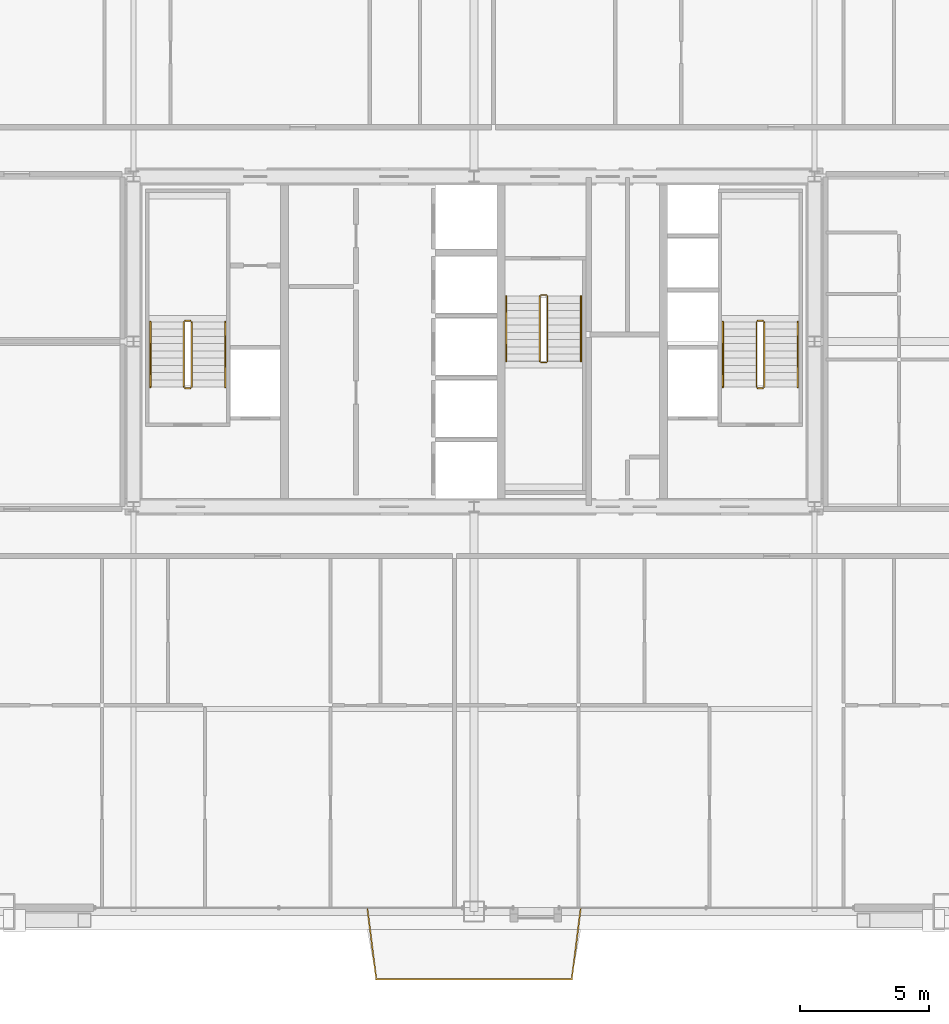
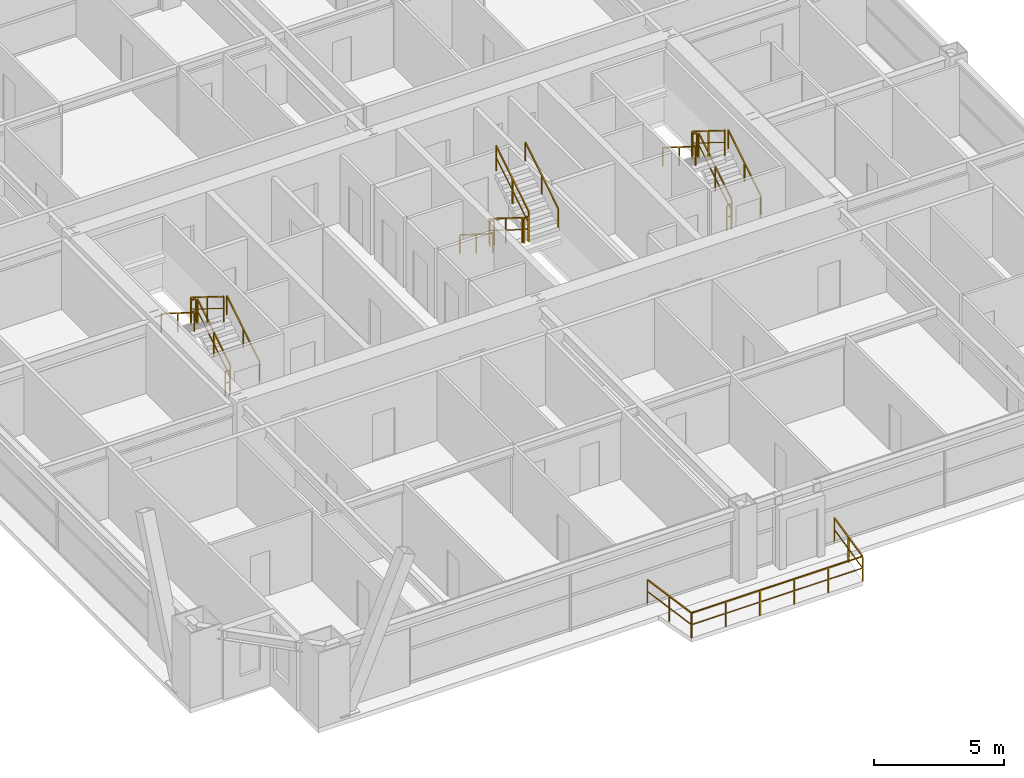
# One storey, part 45 of 45: 19 railings.
"""IFC4 building model written with IfcOpenShell, lengths in metres."""

from ifc_helpers import new_model, si_unit, direction, frame, origin, origin_2d, place, context, subcontext, project, spatial, rectangle, extrude, source, transform, mapped, material, layer, layer_set, type_object, element, save


model = new_model("IFC4")

# Units and contexts
model_context = context("Model", 3, precision=1e-05, world=origin(), true_north=direction((0.0, 1.0)))
body_context = subcontext(model_context, "Body", "Model", "MODEL_VIEW")
ifc_project = project(units=[si_unit("LENGTHUNIT", "METRE"), si_unit("AREAUNIT", "SQUARE_METRE"), si_unit("VOLUMEUNIT", "CUBIC_METRE"), si_unit("PLANEANGLEUNIT", "RADIAN"), si_unit("MASSUNIT", "GRAM", prefix="KILO"), si_unit("THERMODYNAMICTEMPERATUREUNIT", "KELVIN"), si_unit("POWERUNIT", "WATT")], contexts=[model_context])

# Site, building, storey
site_placement = place(None, origin())
site = spatial("IfcSite", under=ifc_project, at=site_placement, CompositionType="ELEMENT")
building_placement = place(site_placement, origin())
building = spatial("IfcBuilding", under=site, at=building_placement, Name="Yuzanri Waterfront Tower", CompositionType="ELEMENT")
storey_placement = place(building_placement, frame((0.0, 0.0, 198.5)))
storey = spatial("IfcBuildingStorey", under=building, at=storey_placement, Name="L52", CompositionType="ELEMENT", Elevation=198.5)

# Railings
ifc_material_1 = material(Name="Anodized Architectural Bronze", Category="metal")
ifc_layer_1 = layer(ifc_material_1, 0.080078125)
ifc_layer_set_1 = layer_set([ifc_layer_1], Name="Anodized Architectural Bronze")
railing_type_1 = type_object("IfcRailingType", Name="Laminated Glass and Bronze Balcony Guardrail 1200", PredefinedType="BALUSTRADE", material=ifc_layer_set_1)
shared_shape_1 = source(origin(), body_context, "Body", "SweptSolid", [
    extrude(rectangle(XDim=0.050048828125, YDim=0.050048828125, at=origin_2d()), frame((0.0, 0.0, 1.1748046875), z_axis=(0.12490362848, -0.992168878565, 0.0), x_axis=(0.992168878565, 0.12490362848, 0.0)), (0.0, 0.0, 1.0), 2.801025390625),
    extrude(rectangle(XDim=0.035888671875, YDim=0.030029296875, at=origin_2d()), frame((0.0, 0.0, 0.6240234375), z_axis=(0.12490362848, -0.992168878565, 0.0), x_axis=(0.992168878565, 0.12490362848, 0.0)), (0.0, 0.0, 1.0), 2.801025390625),
    extrude(rectangle(XDim=0.050048828125, YDim=0.050048828125, at=origin_2d()), frame((0.349853515625, -2.779052734375, 1.1748046875), z_axis=(1.0, 0.0, 0.0), x_axis=(0.0, 1.0, 0.0)), (0.0, 0.0, 1.0), 7.5791015625),
    extrude(rectangle(XDim=0.035888671875, YDim=0.030029296875, at=origin_2d()), frame((0.349853515625, -2.779052734375, 0.6240234375), z_axis=(1.0, 0.0, 0.0), x_axis=(0.0, 1.0, 0.0)), (0.0, 0.0, 1.0), 7.5791015625),
    extrude(rectangle(XDim=0.050048828125, YDim=0.050048828125, at=origin_2d()), frame((7.928955078125, -2.779052734375, 1.1748046875), z_axis=(0.12490362848, 0.992168878565, 0.0), x_axis=(-0.992168878565, 0.12490362848, 0.0)), (0.0, 0.0, 1.0), 2.801025390625),
    extrude(rectangle(XDim=0.035888671875, YDim=0.030029296875, at=origin_2d()), frame((7.928955078125, -2.779052734375, 0.6240234375), z_axis=(0.12490362848, 0.992168878565, 0.0), x_axis=(-0.992168878565, 0.12490362848, 0.0)), (0.0, 0.0, 1.0), 2.801025390625),
    extrude(rectangle(XDim=0.0458984375, YDim=0.0458984375, at=origin_2d()), origin(), (0.0, 0.0, 1.0), 1.14990234375),
    extrude(rectangle(XDim=0.0458984375, YDim=0.0458984375, at=origin_2d()), frame((0.1748046875, -1.3896484375, 0.0)), (0.0, 0.0, 1.0), 1.14990234375),
    extrude(rectangle(XDim=0.0458984375, YDim=0.0458984375, at=origin_2d()), frame((0.349853515625, -2.779052734375, 0.0)), (0.0, 0.0, 1.0), 1.14990234375),
    extrude(rectangle(XDim=0.0458984375, YDim=0.0458984375, at=origin_2d()), frame((1.86572265625, -2.779052734375, 0.0)), (0.0, 0.0, 1.0), 1.14990234375),
    extrude(rectangle(XDim=0.0458984375, YDim=0.0458984375, at=origin_2d()), frame((3.381591796875, -2.779052734375, 0.0)), (0.0, 0.0, 1.0), 1.14990234375),
    extrude(rectangle(XDim=0.0458984375, YDim=0.0458984375, at=origin_2d()), frame((4.897216796875, -2.779052734375, 0.0)), (0.0, 0.0, 1.0), 1.14990234375),
    extrude(rectangle(XDim=0.0458984375, YDim=0.0458984375, at=origin_2d()), frame((6.4130859375, -2.779052734375, 0.0)), (0.0, 0.0, 1.0), 1.14990234375),
    extrude(rectangle(XDim=0.0458984375, YDim=0.0458984375, at=origin_2d()), frame((7.928955078125, -2.779052734375, 0.0)), (0.0, 0.0, 1.0), 1.14990234375),
    extrude(rectangle(XDim=0.0458984375, YDim=0.0458984375, at=origin_2d()), frame((8.10400390625, -1.3896484375, 0.0)), (0.0, 0.0, 1.0), 1.14990234375),
    extrude(rectangle(XDim=0.0458984375, YDim=0.0458984375, at=origin_2d()), frame((8.27880859375, 0.0, 0.0)), (0.0, 0.0, 1.0), 1.14990234375),
])
railing_placement = place(storey_placement, frame((32.860595703125, 3.85009765625, 0.0)))
element("IfcRailing", 1, at=railing_placement, inside=storey, type_object=railing_type_1, Name="L52 S Engawa Terrace Guardrail", PredefinedType="BALUSTRADE", context=body_context, shape_type="MappedRepresentation", body=[
    mapped(shared_shape_1, transform((0.0, 0.0, 0.0), scale=1.0)),
])
ifc_material_2 = material(Name="Painted Galvanized Fire Steel", Category="steel")
ifc_layer_2 = layer(ifc_material_2, 0.06005859375)
ifc_layer_set_2 = layer_set([ifc_layer_2], Name="Painted Galvanized Fire Steel")
railing_type_2 = type_object("IfcRailingType", Name="Painted Steel Stairwell Guardrail 1120", PredefinedType="GUARDRAIL", material=ifc_layer_set_2)
shared_shape_2 = source(origin(), body_context, "Body", "SweptSolid", [
    extrude(rectangle(XDim=0.050048828125, YDim=0.050048828125, at=origin_2d()), frame((0.0, 0.0, 1.1748046875), z_axis=(-1.0, 0.0, 0.0), x_axis=(0.0, -1.0, 0.0)), (0.0, 0.0, 1.0), 0.199951171875),
    extrude(rectangle(XDim=0.035888671875, YDim=0.030029296875, at=origin_2d()), frame((0.0, 0.0, 0.6240234375), z_axis=(-1.0, 0.0, 0.0), x_axis=(0.0, -1.0, 0.0)), (0.0, 0.0, 1.0), 0.199951171875),
    extrude(rectangle(XDim=0.0458984375, YDim=0.0458984375, at=origin_2d()), origin(), (0.0, 0.0, 1.0), 1.14990234375),
    extrude(rectangle(XDim=0.0458984375, YDim=0.0458984375, at=origin_2d()), frame((-0.199951171875, 0.0, 0.0)), (0.0, 0.0, 1.0), 1.14990234375),
])
for number, where, name in (
    (2, (26.0, 26.610107421875, 1.75), "L52 ST-01 stair guard 2"),
    (3, (26.0, 23.989990234375, 0.0), "L52 ST-01 stair guard 4"),
    (4, (48.199951171875, 26.610107421875, 1.75), "L52 ST-02 stair guard 2"),
    (5, (48.199951171875, 23.989990234375, 0.0), "L52 ST-02 stair guard 4"),
):
    element("IfcRailing", number, at=place(storey_placement, frame(where)), inside=storey, type_object=railing_type_2, Name=name, PredefinedType="GUARDRAIL", context=body_context, shape_type="MappedRepresentation", body=[
        mapped(shared_shape_2, transform((0.0, 0.0, 0.0), scale=1.0)),
    ])
shared_shape_3 = source(origin(), body_context, "Body", "SweptSolid", [
    extrude(rectangle(XDim=0.050048828125, YDim=0.050048828125, at=origin_2d()), frame((0.0, 0.0, 1.1748046875), z_axis=(0.0, 0.848007534815, 0.529984170421), x_axis=(-1.0, 0.0, 0.0)), (0.0, 0.0, 1.0), 2.9716796875),
    extrude(rectangle(XDim=0.035888671875, YDim=0.030029296875, at=origin_2d()), frame((0.0, 0.0, 0.6240234375), z_axis=(0.0, 0.848007534815, 0.529984170421), x_axis=(-1.0, 0.0, 0.0)), (0.0, 0.0, 1.0), 2.9716796875),
    extrude(rectangle(XDim=0.0458984375, YDim=0.0458984375, at=origin_2d()), origin(), (0.0, 0.0, 1.0), 1.14990234375),
    extrude(rectangle(XDim=0.0458984375, YDim=0.0458984375, at=origin_2d()), frame((0.0, 1.260009765625, 0.78759765625)), (0.0, 0.0, 1.0), 1.14990234375),
    extrude(rectangle(XDim=0.0458984375, YDim=0.0458984375, at=origin_2d()), frame((0.0, 2.52001953125, 1.574951171875)), (0.0, 0.0, 1.0), 1.14990234375),
])
for number, where, name in (
    (6, (26.050048828125, 24.0400390625, 0.175048828125), "L52 ST-01 stair guard 1"),
    (7, (48.25, 24.0400390625, 0.175048828125), "L52 ST-02 stair guard 1"),
    (8, (39.85009765625, 25.0400390625, 1.925048828125), "L52 ST-03 stair guard 3"),
):
    element("IfcRailing", number, at=place(storey_placement, frame(where)), inside=storey, type_object=railing_type_2, Name=name, PredefinedType="GUARDRAIL", context=body_context, shape_type="MappedRepresentation", body=[
        mapped(shared_shape_3, transform((0.0, 0.0, 0.0), scale=1.0)),
    ])
shared_shape_4 = source(origin(), body_context, "Body", "SweptSolid", [
    extrude(rectangle(XDim=0.050048828125, YDim=0.050048828125, at=origin_2d()), frame((0.0, 0.0, 1.1748046875), z_axis=(0.0, -0.848007534815, 0.529984170421), x_axis=(1.0, 0.0, 0.0)), (0.0, 0.0, 1.0), 2.9716796875),
    extrude(rectangle(XDim=0.035888671875, YDim=0.030029296875, at=origin_2d()), frame((0.0, 0.0, 0.6240234375), z_axis=(0.0, -0.848007534815, 0.529984170421), x_axis=(1.0, 0.0, 0.0)), (0.0, 0.0, 1.0), 2.9716796875),
    extrude(rectangle(XDim=0.0458984375, YDim=0.0458984375, at=origin_2d()), origin(), (0.0, 0.0, 1.0), 1.14990234375),
    extrude(rectangle(XDim=0.0458984375, YDim=0.0458984375, at=origin_2d()), frame((0.0, -1.260009765625, 0.78759765625)), (0.0, 0.0, 1.0), 1.14990234375),
    extrude(rectangle(XDim=0.0458984375, YDim=0.0458984375, at=origin_2d()), frame((0.0, -2.52001953125, 1.574951171875)), (0.0, 0.0, 1.0), 1.14990234375),
])
for number, where, name in (
    (9, (25.75, 26.56005859375, 1.925048828125), "L52 ST-01 stair guard 3"),
    (10, (47.949951171875, 26.56005859375, 1.925048828125), "L52 ST-02 stair guard 3"),
    (11, (39.550048828125, 27.56005859375, 0.175048828125), "L52 ST-03 stair guard 1"),
):
    element("IfcRailing", number, at=place(storey_placement, frame(where)), inside=storey, type_object=railing_type_2, Name=name, PredefinedType="GUARDRAIL", context=body_context, shape_type="MappedRepresentation", body=[
        mapped(shared_shape_4, transform((0.0, 0.0, 0.0), scale=1.0)),
    ])
ifc_material_3 = material(Name="Anodized Architectural Bronze", Category="metal")
ifc_layer_3 = layer(ifc_material_3, 0.050048828125)
ifc_layer_set_3 = layer_set([ifc_layer_3], Name="Anodized Architectural Bronze")
railing_type_3 = type_object("IfcRailingType", Name="Brushed Bronze Stair Pitch Handrail 920", PredefinedType="HANDRAIL", material=ifc_layer_set_3)
shared_shape_5 = source(origin(), body_context, "Body", "SweptSolid", [
    extrude(rectangle(XDim=0.050048828125, YDim=0.050048828125, at=origin_2d()), frame((0.0, 0.0, 0.875), z_axis=(0.0, 0.848007534815, 0.529984170421), x_axis=(-1.0, 0.0, 0.0)), (0.0, 0.0, 1.0), 2.9716796875),
    extrude(rectangle(XDim=0.0458984375, YDim=0.0458984375, at=origin_2d()), origin(), (0.0, 0.0, 1.0), 0.849853515625),
    extrude(rectangle(XDim=0.0458984375, YDim=0.0458984375, at=origin_2d()), frame((0.0, 1.260009765625, 0.78759765625)), (0.0, 0.0, 1.0), 0.849853515625),
    extrude(rectangle(XDim=0.0458984375, YDim=0.0458984375, at=origin_2d()), frame((0.0, 2.52001953125, 1.574951171875)), (0.0, 0.0, 1.0), 0.849853515625),
])
for number, where, name in (
    (12, (27.35009765625, 24.0400390625, 0.175048828125), "L52 ST-01 stair handrail 1"),
    (13, (49.550048828125, 24.0400390625, 0.175048828125), "L52 ST-02 stair handrail 1"),
    (14, (41.14990234375, 25.0400390625, 1.925048828125), "L52 ST-03 stair handrail 2"),
):
    element("IfcRailing", number, at=place(storey_placement, frame(where)), inside=storey, type_object=railing_type_3, Name=name, PredefinedType="HANDRAIL", context=body_context, shape_type="MappedRepresentation", body=[
        mapped(shared_shape_5, transform((0.0, 0.0, 0.0), scale=1.0)),
    ])
shared_shape_6 = source(origin(), body_context, "Body", "SweptSolid", [
    extrude(rectangle(XDim=0.050048828125, YDim=0.050048828125, at=origin_2d()), frame((0.0, 0.0, 0.875), z_axis=(0.0, -0.848007534815, 0.529984170421), x_axis=(1.0, 0.0, 0.0)), (0.0, 0.0, 1.0), 2.9716796875),
    extrude(rectangle(XDim=0.0458984375, YDim=0.0458984375, at=origin_2d()), origin(), (0.0, 0.0, 1.0), 0.849853515625),
    extrude(rectangle(XDim=0.0458984375, YDim=0.0458984375, at=origin_2d()), frame((0.0, -1.260009765625, 0.78759765625)), (0.0, 0.0, 1.0), 0.849853515625),
    extrude(rectangle(XDim=0.0458984375, YDim=0.0458984375, at=origin_2d()), frame((0.0, -2.52001953125, 1.574951171875)), (0.0, 0.0, 1.0), 0.849853515625),
])
for number, where, name in (
    (15, (24.449951171875, 26.56005859375, 1.925048828125), "L52 ST-01 stair handrail 2"),
    (16, (46.64990234375, 26.56005859375, 1.925048828125), "L52 ST-02 stair handrail 2"),
    (17, (38.25, 27.56005859375, 0.175048828125), "L52 ST-03 stair handrail 1"),
):
    element("IfcRailing", number, at=place(storey_placement, frame(where)), inside=storey, type_object=railing_type_3, Name=name, PredefinedType="HANDRAIL", context=body_context, shape_type="MappedRepresentation", body=[
        mapped(shared_shape_6, transform((0.0, 0.0, 0.0), scale=1.0)),
    ])
shared_shape_7 = source(origin(), body_context, "Body", "SweptSolid", [
    extrude(rectangle(XDim=0.050048828125, YDim=0.050048828125, at=origin_2d()), frame((0.0, 0.0, 1.1748046875), z_axis=(1.0, 0.0, 0.0), x_axis=(0.0, 1.0, 0.0)), (0.0, 0.0, 1.0), 0.199951171875),
    extrude(rectangle(XDim=0.035888671875, YDim=0.030029296875, at=origin_2d()), frame((0.0, 0.0, 0.6240234375), z_axis=(1.0, 0.0, 0.0), x_axis=(0.0, 1.0, 0.0)), (0.0, 0.0, 1.0), 0.199951171875),
    extrude(rectangle(XDim=0.0458984375, YDim=0.0458984375, at=origin_2d()), origin(), (0.0, 0.0, 1.0), 1.14990234375),
    extrude(rectangle(XDim=0.0458984375, YDim=0.0458984375, at=origin_2d()), frame((0.199951171875, 0.0, 0.0)), (0.0, 0.0, 1.0), 1.14990234375),
])
for number, where, name in (
    (18, (39.60009765625, 24.989990234375, 1.75), "L52 ST-03 stair guard 2"),
    (19, (39.60009765625, 27.610107421875, 0.0), "L52 ST-03 stair guard 4"),
):
    element("IfcRailing", number, at=place(storey_placement, frame(where)), inside=storey, type_object=railing_type_2, Name=name, PredefinedType="GUARDRAIL", context=body_context, shape_type="MappedRepresentation", body=[
        mapped(shared_shape_7, transform((0.0, 0.0, 0.0), scale=1.0)),
    ])

save(model, "model.ifc")
